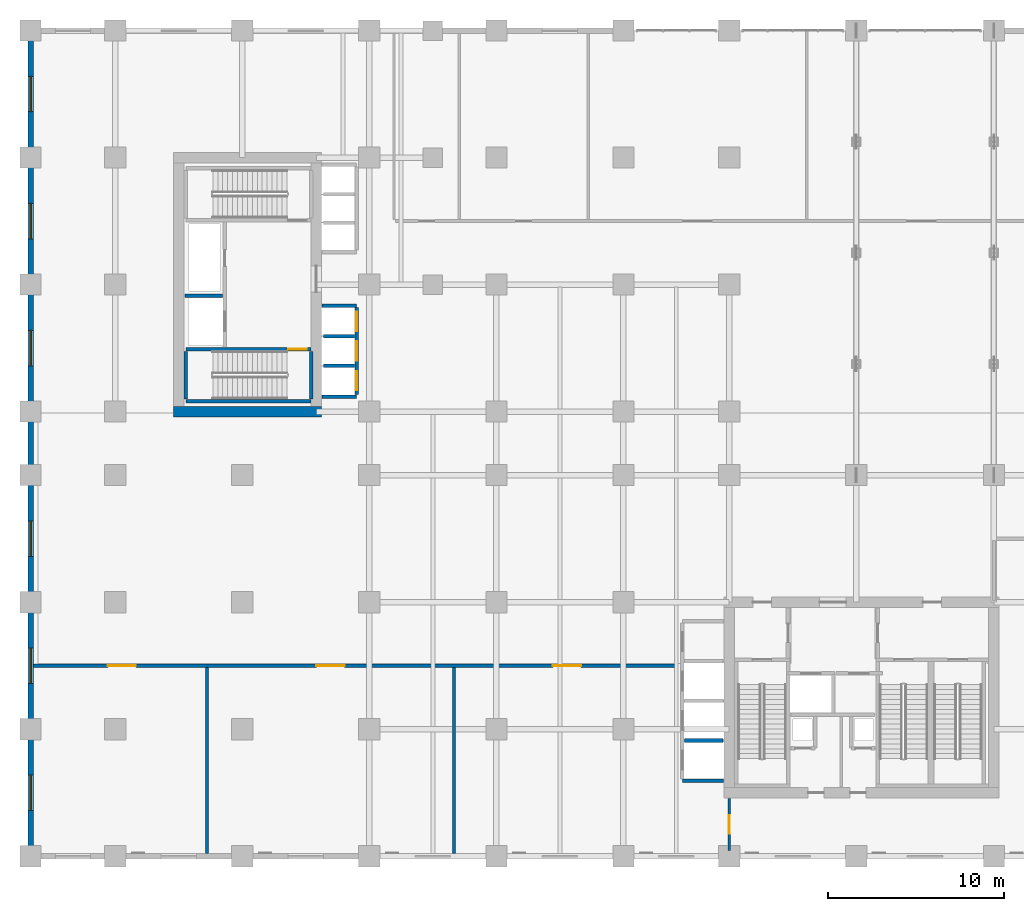
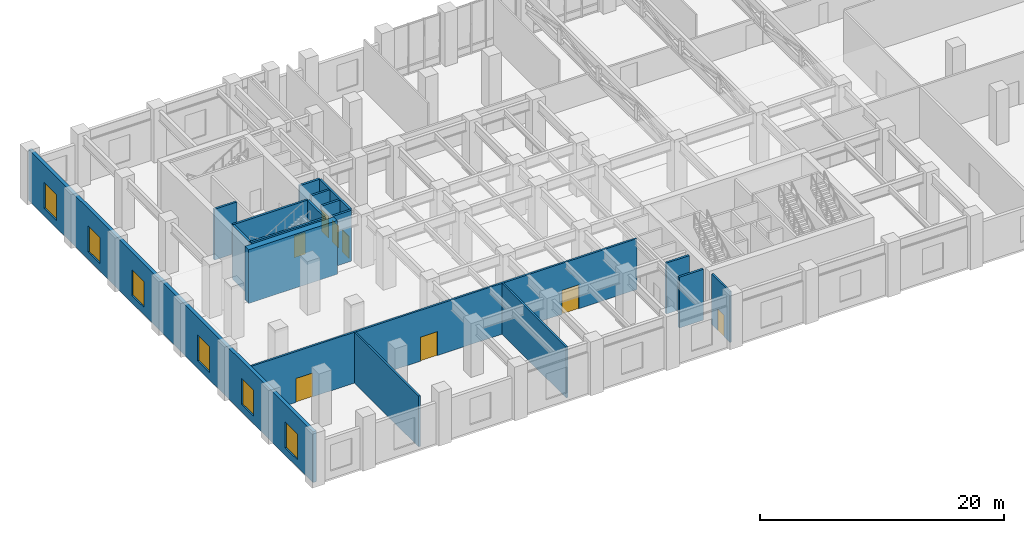
# One storey, part 9 of 19: 18 walls, 8 doors, 6 windows, 14 openings.
"""IFC4 building model written with IfcOpenShell, lengths in metres."""

from ifc_helpers import new_model, si_unit, derived_unit, direction, frame, frame_2d, origin, place, context, subcontext, project, spatial, rectangle, extrude, source, transform, mapped, material, layer, layer_set, type_object, type_shapes, element, fill, save


model = new_model("IFC4")

# Units and contexts
model_context = context("Model", 3, precision=1e-05, world=origin(), true_north=direction((0.0, 1.0)))
body_context = subcontext(model_context, "Body", "Model", "MODEL_VIEW")
ifc_project = project(units=[si_unit("LENGTHUNIT", "METRE"), si_unit("AREAUNIT", "SQUARE_METRE"), si_unit("VOLUMEUNIT", "CUBIC_METRE"), si_unit("PLANEANGLEUNIT", "RADIAN"), si_unit("MASSUNIT", "GRAM", prefix="KILO"), si_unit("THERMODYNAMICTEMPERATUREUNIT", "KELVIN"), si_unit("POWERUNIT", "WATT"), derived_unit("THERMALTRANSMITTANCEUNIT", [(si_unit("POWERUNIT", "WATT"), 1), (si_unit("AREAUNIT", "SQUARE_METRE"), -1), (si_unit("THERMODYNAMICTEMPERATUREUNIT", "KELVIN"), -1)])], contexts=[model_context])

# Site, building, storey
site_placement = place(None, origin())
site = spatial("IfcSite", under=ifc_project, at=site_placement, CompositionType="ELEMENT")
building_placement = place(site_placement, origin())
building = spatial("IfcBuilding", under=site, at=building_placement, Name="Zahravan Archway Hotel and Residences", CompositionType="ELEMENT")
storey_placement = place(building_placement, frame((0.0, 0.0, 21.60009765625)))
storey = spatial("IfcBuildingStorey", under=building, at=storey_placement, Name="L04", CompositionType="ELEMENT", Elevation=21.60009765625)

# Wall
ifc_material_1 = material(Name="Concrete C70/85", Category="concrete")
ifc_layer_1 = layer(ifc_material_1, 0.60009765625, Name="Concrete C70/85", Category="concrete")
ifc_layer_set_1 = layer_set([ifc_layer_1], Name="Concrete C70/85")
wall_type_1 = type_object("IfcWallType", Name="CW-CORE-600", PredefinedType="SHEAR", material=ifc_layer_set_1)
wall_1_placement = place(storey_placement, frame((3.300048828125, 25.199951171875, 0.0), z_axis=(0.0, 0.0, 1.0), x_axis=(1.0, 0.0, 0.0)))
element("IfcWall", 1, at=wall_1_placement, inside=storey, type_object=wall_type_1, Name="L04 Core B Shear S Wall 600 mm", PredefinedType="SHEAR", context=body_context, shape_type="SweptSolid", body=[
    extrude(rectangle(XDim=8.39990234375, YDim=0.60009765625, at=frame_2d((4.199951171875, 0.0))), origin(), (0.0, 0.0, 1.0), 5.39990234375),
])

# Wall, openings, windows
ifc_material_2 = material(Name="Agra Buff Sandstone & Insulated Backup", Category="masonry")
ifc_layer_2 = layer(ifc_material_2, 0.320068359375, Name="Agra Buff Sandstone & Insulated Backup", Category="masonry")
ifc_layer_set_2 = layer_set([ifc_layer_2], Name="Agra Buff Sandstone & Insulated Backup")
wall_type_2 = type_object("IfcWallType", Name="EW-SAND-320", PredefinedType="SOLIDWALL", material=ifc_layer_set_2)
wall_2_placement = place(storey_placement, frame((-4.800048828125, 0.050048828125, 0.0), z_axis=(0.0, 0.0, 1.0), x_axis=(0.0, 1.0, 0.0)))
wall_2 = element("IfcWall", 2, at=wall_2_placement, inside=storey, type_object=wall_type_2, Name="L04 Podium Sandstone W Wall", PredefinedType="SOLIDWALL", context=body_context, shape_type="SweptSolid", body=[
    extrude(rectangle(XDim=46.699951171875, YDim=0.320068359375, at=frame_2d((23.35009765625, 0.0))), origin(), (0.0, 0.0, 1.0), 5.099853515625),
])
opening_1_placement = place(wall_2_placement, frame((2.550048828125, 0.0, 0.75)))
opening_1 = element("IfcOpeningElement", 3, at=opening_1_placement, cuts=wall_2, Name="Opening W-01", PredefinedType="OPENING", context=body_context, shape_type="SweptSolid", body=[
    extrude(rectangle(XDim=2.0, YDim=2.60009765625, at=frame_2d((1.0, 1.300048828125))), frame((0.0, 0.169921875, 0.0), z_axis=(0.0, -1.0, 0.0), x_axis=(1.0, 0.0, 0.0)), (0.0, 0.0, 1.0), 0.340087890625),
])
opening_2_placement = place(wall_2_placement, frame((9.75, 0.0, 0.75)))
opening_2 = element("IfcOpeningElement", 4, at=opening_2_placement, cuts=wall_2, Name="Opening W-01", PredefinedType="OPENING", context=body_context, shape_type="SweptSolid", body=[
    extrude(rectangle(XDim=2.0, YDim=2.60009765625, at=frame_2d((1.0, 1.300048828125))), frame((0.0, 0.169921875, 0.0), z_axis=(0.0, -1.0, 0.0), x_axis=(1.0, 0.0, 0.0)), (0.0, 0.0, 1.0), 0.340087890625),
])
opening_3_placement = place(wall_2_placement, frame((16.949951171875, 0.0, 0.75)))
opening_3 = element("IfcOpeningElement", 5, at=opening_3_placement, cuts=wall_2, Name="Opening W-01", PredefinedType="OPENING", context=body_context, shape_type="SweptSolid", body=[
    extrude(rectangle(XDim=2.0, YDim=2.60009765625, at=frame_2d((1.0, 1.300048828125))), frame((0.0, 0.169921875, 0.0), z_axis=(0.0, -1.0, 0.0), x_axis=(1.0, 0.0, 0.0)), (0.0, 0.0, 1.0), 0.340087890625),
])
opening_4_placement = place(wall_2_placement, frame((27.75, 0.0, 0.75)))
opening_4 = element("IfcOpeningElement", 6, at=opening_4_placement, cuts=wall_2, Name="Opening W-01", PredefinedType="OPENING", context=body_context, shape_type="SweptSolid", body=[
    extrude(rectangle(XDim=2.0, YDim=2.60009765625, at=frame_2d((1.0, 1.300048828125))), frame((0.0, 0.169921875, 0.0), z_axis=(0.0, -1.0, 0.0), x_axis=(1.0, 0.0, 0.0)), (0.0, 0.0, 1.0), 0.340087890625),
])
opening_5_placement = place(wall_2_placement, frame((34.949951171875, 0.0, 0.75)))
opening_5 = element("IfcOpeningElement", 7, at=opening_5_placement, cuts=wall_2, Name="Opening W-01", PredefinedType="OPENING", context=body_context, shape_type="SweptSolid", body=[
    extrude(rectangle(XDim=2.0, YDim=2.60009765625, at=frame_2d((1.0, 1.300048828125))), frame((0.0, 0.169921875, 0.0), z_axis=(0.0, -1.0, 0.0), x_axis=(1.0, 0.0, 0.0)), (0.0, 0.0, 1.0), 0.340087890625),
])
opening_6_placement = place(wall_2_placement, frame((42.14990234375, 0.0, 0.75)))
opening_6 = element("IfcOpeningElement", 8, at=opening_6_placement, cuts=wall_2, Name="Opening W-01", PredefinedType="OPENING", context=body_context, shape_type="SweptSolid", body=[
    extrude(rectangle(XDim=2.0, YDim=2.60009765625, at=frame_2d((1.0, 1.300048828125))), frame((0.0, 0.169921875, 0.0), z_axis=(0.0, -1.0, 0.0), x_axis=(1.0, 0.0, 0.0)), (0.0, 0.0, 1.0), 0.340087890625),
])
ifc_material_3 = material(Name="Bronze-Anodized Thermal-Break Aluminium & Low-E Glass", Category="aluminium")
window_type = type_object("IfcWindowType", Name="WIN-ARC-2000", PartitioningType="DOUBLE_PANEL_VERTICAL", PredefinedType="WINDOW", material=ifc_material_3)
shared_shape_1 = source(origin(), body_context, "Body", "SweptSolid", [
    extrude(rectangle(XDim=2.0, YDim=2.60009765625, at=frame_2d((1.0, 1.300048828125))), frame((0.0, 0.030029296875, 0.0), z_axis=(0.0, -1.0, 0.0), x_axis=(1.0, 0.0, 0.0)), (0.0, 0.0, 1.0), 0.06005859375),
])
type_shapes(window_type, [shared_shape_1])
window_1_placement = place(opening_1_placement, origin())
window_1 = element("IfcWindow", 9, at=window_1_placement, inside=storey, type_object=window_type, Name="L04 Podium Mughal Arch Window 21", OverallHeight=2.60009765625, OverallWidth=2.0, PartitioningType="DOUBLE_PANEL_VERTICAL", PredefinedType="WINDOW", context=body_context, shape_type="MappedRepresentation", body=[
    mapped(shared_shape_1, transform((0.0, 0.0, 0.0), scale=1.0)),
])
fill(opening_1, window_1)
window_2_placement = place(opening_2_placement, origin())
window_2 = element("IfcWindow", 10, at=window_2_placement, inside=storey, type_object=window_type, Name="L04 Podium Mughal Arch Window 22", OverallHeight=2.60009765625, OverallWidth=2.0, PartitioningType="DOUBLE_PANEL_VERTICAL", PredefinedType="WINDOW", context=body_context, shape_type="MappedRepresentation", body=[
    mapped(shared_shape_1, transform((0.0, 0.0, 0.0), scale=1.0)),
])
fill(opening_2, window_2)
window_3_placement = place(opening_3_placement, origin())
window_3 = element("IfcWindow", 11, at=window_3_placement, inside=storey, type_object=window_type, Name="L04 Podium Mughal Arch Window 23", OverallHeight=2.60009765625, OverallWidth=2.0, PartitioningType="DOUBLE_PANEL_VERTICAL", PredefinedType="WINDOW", context=body_context, shape_type="MappedRepresentation", body=[
    mapped(shared_shape_1, transform((0.0, 0.0, 0.0), scale=1.0)),
])
fill(opening_3, window_3)
window_4_placement = place(opening_4_placement, origin())
window_4 = element("IfcWindow", 12, at=window_4_placement, inside=storey, type_object=window_type, Name="L04 Podium Mughal Arch Window 24", OverallHeight=2.60009765625, OverallWidth=2.0, PartitioningType="DOUBLE_PANEL_VERTICAL", PredefinedType="WINDOW", context=body_context, shape_type="MappedRepresentation", body=[
    mapped(shared_shape_1, transform((0.0, 0.0, 0.0), scale=1.0)),
])
fill(opening_4, window_4)
window_5_placement = place(opening_5_placement, origin())
window_5 = element("IfcWindow", 13, at=window_5_placement, inside=storey, type_object=window_type, Name="L04 Podium Mughal Arch Window 25", OverallHeight=2.60009765625, OverallWidth=2.0, PartitioningType="DOUBLE_PANEL_VERTICAL", PredefinedType="WINDOW", context=body_context, shape_type="MappedRepresentation", body=[
    mapped(shared_shape_1, transform((0.0, 0.0, 0.0), scale=1.0)),
])
fill(opening_5, window_5)
window_6_placement = place(opening_6_placement, origin())
window_6 = element("IfcWindow", 14, at=window_6_placement, inside=storey, type_object=window_type, Name="L04 Podium Mughal Arch Window 26", OverallHeight=2.60009765625, OverallWidth=2.0, PartitioningType="DOUBLE_PANEL_VERTICAL", PredefinedType="WINDOW", context=body_context, shape_type="MappedRepresentation", body=[
    mapped(shared_shape_1, transform((0.0, 0.0, 0.0), scale=1.0)),
])
fill(opening_6, window_6)

# Wall, opening, door
ifc_material_4 = material(Name="Fire-Rated Gypsum & Concrete Block", Category="concrete")
ifc_layer_3 = layer(ifc_material_4, 0.159912109375, Name="Fire-Rated Gypsum & Concrete Block", Category="concrete")
ifc_layer_set_3 = layer_set([ifc_layer_3], Name="Fire-Rated Gypsum & Concrete Block")
wall_type_3 = type_object("IfcWallType", Name="PW-CORR-160", PredefinedType="PARTITIONING", material=ifc_layer_set_3)
wall_3_placement = place(storey_placement, frame((34.800048828125, 0.320068359375, 0.0), z_axis=(0.0, 0.0, 1.0), x_axis=(0.0, 1.0, 0.0)))
wall_3 = element("IfcWall", 15, at=wall_3_placement, inside=storey, type_object=wall_type_3, Name="L04 Partition L04-CAS", PredefinedType="PARTITIONING", context=body_context, shape_type="SweptSolid", body=[
    extrude(rectangle(XDim=2.9599609375, YDim=0.159912109375, at=frame_2d((1.47998046875, 0.0))), origin(), (0.0, 0.0, 1.0), 5.099853515625),
])
opening_7_placement = place(wall_3_placement, frame((0.955078125, 0.0, 0.0)))
opening_7 = element("IfcOpeningElement", 16, at=opening_7_placement, cuts=wall_3, Name="Opening FD-L2", PredefinedType="OPENING", context=body_context, shape_type="SweptSolid", body=[
    extrude(rectangle(XDim=1.050048828125, YDim=2.14990234375, at=frame_2d((0.52490234375, 1.074951171875))), frame((0.0, 0.08984375, 0.0), z_axis=(0.0, -1.0, 0.0), x_axis=(1.0, 0.0, 0.0)), (0.0, 0.0, 1.0), 0.179931640625),
])
ifc_material_5 = material(Name="Fire-Rated Painted Steel", Category="steel")
door_type_1 = type_object("IfcDoorType", Name="FD-LOBBY-1100", OperationType="NOTDEFINED", PredefinedType="DOOR", material=ifc_material_5)
shared_shape_2 = source(origin(), body_context, "Body", "SweptSolid", [
    extrude(rectangle(XDim=1.050048828125, YDim=2.14990234375, at=frame_2d((0.52490234375, 1.074951171875))), frame((0.0, 0.02490234375, 0.0), z_axis=(0.0, -1.0, 0.0), x_axis=(1.0, 0.0, 0.0)), (0.0, 0.0, 1.0), 0.050048828125),
])
type_shapes(door_type_1, [shared_shape_2])
door_1_placement = place(opening_7_placement, origin())
door_1 = element("IfcDoor", 17, at=door_1_placement, inside=storey, type_object=door_type_1, Name="L04 South Riser Access Door", OperationType="SINGLE_SWING_RIGHT", OverallHeight=2.14990234375, OverallWidth=1.050048828125, PredefinedType="DOOR", context=body_context, shape_type="MappedRepresentation", body=[
    mapped(shared_shape_2, transform((0.0, 0.0, 0.0), scale=1.0)),
])
fill(opening_7, door_1)

# Wall, openings, doors
ifc_layer_4 = layer(ifc_material_4, 0.179931640625, Name="Fire-Rated Gypsum & Concrete Block", Category="concrete")
ifc_layer_set_4 = layer_set([ifc_layer_4], Name="Fire-Rated Gypsum & Concrete Block")
wall_type_4 = type_object("IfcWallType", Name="PW-CORR-180", PredefinedType="PARTITIONING", material=ifc_layer_set_4)
wall_4_placement = place(storey_placement, frame((-4.632080078125, 10.800048828125, 0.0), z_axis=(0.0, 0.0, 1.0), x_axis=(1.0, 0.0, 0.0)))
wall_4 = element("IfcWall", 18, at=wall_4_placement, inside=storey, type_object=wall_type_4, Name="L04 Partition L04-GS", PredefinedType="PARTITIONING", context=body_context, shape_type="SweptSolid", body=[
    extrude(rectangle(XDim=36.5419921875, YDim=0.179931640625, at=frame_2d((18.27099609375, 0.0))), origin(), (0.0, 0.0, 1.0), 5.099853515625),
])
opening_8_placement = place(wall_4_placement, frame((4.20703125, 0.0, 0.0)))
opening_8 = element("IfcOpeningElement", 19, at=opening_8_placement, cuts=wall_4, Name="Opening D-P2", PredefinedType="OPENING", context=body_context, shape_type="SweptSolid", body=[
    extrude(rectangle(XDim=1.60009765625, YDim=2.39990234375, at=frame_2d((0.800048828125, 1.199951171875))), frame((0.0, 0.10009765625, 0.0), z_axis=(0.0, -1.0, 0.0), x_axis=(1.0, 0.0, 0.0)), (0.0, 0.0, 1.0), 0.199951171875),
])
opening_9_placement = place(wall_4_placement, frame((16.031982421875, 0.0, 0.0)))
opening_9 = element("IfcOpeningElement", 20, at=opening_9_placement, cuts=wall_4, Name="Opening D-P2", PredefinedType="OPENING", context=body_context, shape_type="SweptSolid", body=[
    extrude(rectangle(XDim=1.60009765625, YDim=2.39990234375, at=frame_2d((0.800048828125, 1.199951171875))), frame((0.0, 0.10009765625, 0.0), z_axis=(0.0, -1.0, 0.0), x_axis=(1.0, 0.0, 0.0)), (0.0, 0.0, 1.0), 0.199951171875),
])
opening_10_placement = place(wall_4_placement, frame((29.431884765625, 0.0, 0.0)))
opening_10 = element("IfcOpeningElement", 21, at=opening_10_placement, cuts=wall_4, Name="Opening D-P2", PredefinedType="OPENING", context=body_context, shape_type="SweptSolid", body=[
    extrude(rectangle(XDim=1.60009765625, YDim=2.39990234375, at=frame_2d((0.800048828125, 1.199951171875))), frame((0.0, 0.10009765625, 0.0), z_axis=(0.0, -1.0, 0.0), x_axis=(1.0, 0.0, 0.0)), (0.0, 0.0, 1.0), 0.199951171875),
])
ifc_material_6 = material(Name="Bronze-Anodized Glazed Aluminium", Category="aluminium")
door_type_2 = type_object("IfcDoorType", Name="ID-PUBLIC-1600", OperationType="DOUBLE_DOOR_SINGLE_SWING", PredefinedType="DOOR", material=ifc_material_6)
shared_shape_3 = source(origin(), body_context, "Body", "SweptSolid", [
    extrude(rectangle(XDim=1.60009765625, YDim=2.39990234375, at=frame_2d((0.800048828125, 1.199951171875))), frame((0.0, 0.02490234375, 0.0), z_axis=(0.0, -1.0, 0.0), x_axis=(1.0, 0.0, 0.0)), (0.0, 0.0, 1.0), 0.050048828125),
])
type_shapes(door_type_2, [shared_shape_3])
door_2_placement = place(opening_8_placement, origin())
door_2 = element("IfcDoor", 22, at=door_2_placement, inside=storey, type_object=door_type_2, Name="L04 Sanctuary Qibla Vestibule & Shoe Cloister Door", OperationType="DOUBLE_DOOR_SINGLE_SWING", OverallHeight=2.39990234375, OverallWidth=1.60009765625, PredefinedType="DOOR", context=body_context, shape_type="MappedRepresentation", body=[
    mapped(shared_shape_3, transform((0.0, 0.0, 0.0), scale=1.0)),
])
fill(opening_8, door_2)
door_3_placement = place(opening_9_placement, origin())
door_3 = element("IfcDoor", 23, at=door_3_placement, inside=storey, type_object=door_type_2, Name="L04 Men's Congregational Musalla Prayer Hall Door", OperationType="DOUBLE_DOOR_SINGLE_SWING", OverallHeight=2.39990234375, OverallWidth=1.60009765625, PredefinedType="DOOR", context=body_context, shape_type="MappedRepresentation", body=[
    mapped(shared_shape_3, transform((0.0, 0.0, 0.0), scale=1.0)),
])
fill(opening_9, door_3)
door_4_placement = place(opening_10_placement, origin())
door_4 = element("IfcDoor", 24, at=door_4_placement, inside=storey, type_object=door_type_2, Name="L04 Women's Congregational Musalla Prayer Hall Door", OperationType="DOUBLE_DOOR_SINGLE_SWING", OverallHeight=2.39990234375, OverallWidth=1.60009765625, PredefinedType="DOOR", context=body_context, shape_type="MappedRepresentation", body=[
    mapped(shared_shape_3, transform((0.0, 0.0, 0.0), scale=1.0)),
])
fill(opening_10, door_4)

# Walls
ifc_layer_5 = layer(ifc_material_4, 0.199951171875, Name="Fire-Rated Gypsum & Concrete Block", Category="concrete")
ifc_layer_set_5 = layer_set([ifc_layer_5], Name="Fire-Rated Gypsum & Concrete Block")
wall_type_5 = type_object("IfcWallType", Name="PW-SHAFT-200", PredefinedType="PARTITIONING", material=ifc_layer_set_5)
wall_5_placement = place(storey_placement, frame((32.159912109375, 4.280029296875, 0.0), z_axis=(0.0, 0.0, 1.0), x_axis=(1.0, 0.0, 0.0)))
element("IfcWall", 25, at=wall_5_placement, inside=storey, type_object=wall_type_5, Name="L04 Partition B3-S", PredefinedType="PARTITIONING", context=body_context, shape_type="SweptSolid", body=[
    extrude(rectangle(XDim=2.31005859375, YDim=0.199951171875, at=frame_2d((1.155029296875, 0.0))), origin(), (0.0, 0.0, 1.0), 5.099853515625),
])
wall_6_placement = place(storey_placement, frame((32.260009765625, 6.56005859375, 0.0), z_axis=(0.0, 0.0, 1.0), x_axis=(1.0, 0.0, 0.0)))
element("IfcWall", 26, at=wall_6_placement, inside=storey, type_object=wall_type_5, Name="L04 Partition B3-D", PredefinedType="PARTITIONING", context=body_context, shape_type="SweptSolid", body=[
    extrude(rectangle(XDim=2.179931640625, YDim=0.199951171875, at=frame_2d((1.08984375, 0.0))), origin(), (0.0, 0.0, 1.0), 5.099853515625),
])
wall_7_placement = place(storey_placement, frame((3.9599609375, 31.780029296875, 0.0), z_axis=(0.0, 0.0, 1.0), x_axis=(1.0, 0.0, 0.0)))
element("IfcWall", 27, at=wall_7_placement, inside=storey, type_object=wall_type_5, Name="L04 Partition CB-FL3N", PredefinedType="PARTITIONING", context=body_context, shape_type="SweptSolid", body=[
    extrude(rectangle(XDim=2.130126953125, YDim=0.199951171875, at=frame_2d((1.06494140625, 0.0))), origin(), (0.0, 0.0, 1.0), 5.099853515625),
])
for number, where, z_axis, x_axis, name in (
    (28, (11.7099609375, 26.050048828125, 0.0), (0.0, 0.0, 1.0), (1.0, 0.0, 0.0), "L04 Partition B1-S"),
    (29, (11.7099609375, 31.2099609375, 0.0), (0.0, 0.0, 1.0), (1.0, 0.0, 0.0), "L04 Partition B1-N"),
):
    element("IfcWall", number, at=place(storey_placement, frame(where, z_axis=z_axis, x_axis=x_axis)), inside=storey, type_object=wall_type_5, Name=name, PredefinedType="PARTITIONING", context=body_context, shape_type="SweptSolid", body=[
        extrude(rectangle(XDim=1.9599609375, YDim=0.199951171875, at=frame_2d((0.97998046875, 0.0))), origin(), (0.0, 0.0, 1.0), 5.099853515625),
    ])

# Wall, openings, doors
wall_8_placement = place(storey_placement, frame((13.679931640625, 26.159912109375, 0.0), z_axis=(0.0, 0.0, 1.0), x_axis=(0.0, 1.0, 0.0)))
wall_8 = element("IfcWall", 30, at=wall_8_placement, inside=storey, type_object=wall_type_5, Name="L04 Partition B1-E", PredefinedType="PARTITIONING", context=body_context, shape_type="SweptSolid", body=[
    extrude(rectangle(XDim=4.940185546875, YDim=0.199951171875, at=frame_2d((2.47021484375, 0.0))), origin(), (0.0, 0.0, 1.0), 5.099853515625),
])
opening_11_placement = place(wall_8_placement, frame((0.239990234375, 0.0, 0.0)))
opening_11 = element("IfcOpeningElement", 31, at=opening_11_placement, cuts=wall_8, Name="Opening LD", PredefinedType="OPENING", context=body_context, shape_type="SweptSolid", body=[
    extrude(rectangle(XDim=1.10009765625, YDim=2.199951171875, at=frame_2d((0.550048828125, 1.10009765625))), frame((0.0, 0.10986328125, 0.0), z_axis=(0.0, -1.0, 0.0), x_axis=(1.0, 0.0, 0.0)), (0.0, 0.0, 1.0), 0.219970703125),
])
opening_12_placement = place(wall_8_placement, frame((1.919921875, 0.0, 0.0)))
opening_12 = element("IfcOpeningElement", 32, at=opening_12_placement, cuts=wall_8, Name="Opening LD", PredefinedType="OPENING", context=body_context, shape_type="SweptSolid", body=[
    extrude(rectangle(XDim=1.10009765625, YDim=2.199951171875, at=frame_2d((0.550048828125, 1.10009765625))), frame((0.0, 0.10986328125, 0.0), z_axis=(0.0, -1.0, 0.0), x_axis=(1.0, 0.0, 0.0)), (0.0, 0.0, 1.0), 0.219970703125),
])
opening_13_placement = place(wall_8_placement, frame((3.60009765625, 0.0, 0.0)))
opening_13 = element("IfcOpeningElement", 33, at=opening_13_placement, cuts=wall_8, Name="Opening LD", PredefinedType="OPENING", context=body_context, shape_type="SweptSolid", body=[
    extrude(rectangle(XDim=1.10009765625, YDim=2.199951171875, at=frame_2d((0.550048828125, 1.10009765625))), frame((0.0, 0.10986328125, 0.0), z_axis=(0.0, -1.0, 0.0), x_axis=(1.0, 0.0, 0.0)), (0.0, 0.0, 1.0), 0.219970703125),
])
ifc_material_7 = material(Name="Brushed Stainless Steel", Category="steel")
door_type_3 = type_object("IfcDoorType", Name="DR-LIFT-LD", OperationType="SLIDING_TO_LEFT", PredefinedType="DOOR", material=ifc_material_7)
shared_shape_4 = source(origin(), body_context, "Body", "SweptSolid", [
    extrude(rectangle(XDim=1.10009765625, YDim=2.199951171875, at=frame_2d((0.550048828125, 1.10009765625))), frame((0.0, 0.02490234375, 0.0), z_axis=(0.0, -1.0, 0.0), x_axis=(1.0, 0.0, 0.0)), (0.0, 0.0, 1.0), 0.050048828125),
])
type_shapes(door_type_3, [shared_shape_4])
door_5_placement = place(opening_11_placement, origin())
door_5 = element("IfcDoor", 34, at=door_5_placement, inside=storey, type_object=door_type_3, Name="L04 Lift LP-1 Sliding Landing Door", OperationType="SLIDING_TO_LEFT", OverallHeight=2.199951171875, OverallWidth=1.10009765625, PredefinedType="DOOR", context=body_context, shape_type="MappedRepresentation", body=[
    mapped(shared_shape_4, transform((0.0, 0.0, 0.0), scale=1.0)),
])
fill(opening_11, door_5)
door_6_placement = place(opening_12_placement, origin())
door_6 = element("IfcDoor", 35, at=door_6_placement, inside=storey, type_object=door_type_3, Name="L04 Lift LP-2 Sliding Landing Door", OperationType="SLIDING_TO_LEFT", OverallHeight=2.199951171875, OverallWidth=1.10009765625, PredefinedType="DOOR", context=body_context, shape_type="MappedRepresentation", body=[
    mapped(shared_shape_4, transform((0.0, 0.0, 0.0), scale=1.0)),
])
fill(opening_12, door_6)
door_7_placement = place(opening_13_placement, origin())
door_7 = element("IfcDoor", 36, at=door_7_placement, inside=storey, type_object=door_type_3, Name="L04 Lift LP-3 Sliding Landing Door", OperationType="SLIDING_TO_LEFT", OverallHeight=2.199951171875, OverallWidth=1.10009765625, PredefinedType="DOOR", context=body_context, shape_type="MappedRepresentation", body=[
    mapped(shared_shape_4, transform((0.0, 0.0, 0.0), scale=1.0)),
])
fill(opening_13, door_7)

# Walls
for number, where, z_axis, x_axis, name in (
    (37, (11.81005859375, 27.7900390625, 0.0), (0.0, 0.0, 1.0), (1.0, 0.0, 0.0), "L04 Partition B1-D"),
    (38, (11.81005859375, 29.469970703125, 0.0), (0.0, 0.0, 1.0), (1.0, 0.0, 0.0), "L04 Partition B1-D"),
):
    element("IfcWall", number, at=place(storey_placement, frame(where, z_axis=z_axis, x_axis=x_axis)), inside=storey, type_object=wall_type_5, Name=name, PredefinedType="PARTITIONING", context=body_context, shape_type="SweptSolid", body=[
        extrude(rectangle(XDim=1.760009765625, YDim=0.199951171875, at=frame_2d((0.8798828125, 0.0))), origin(), (0.0, 0.0, 1.0), 5.099853515625),
    ])
ifc_material_8 = material(Name="Acoustic Stud Partition")
ifc_layer_6 = layer(ifc_material_8, 0.169921875, Name="Acoustic Stud Partition")
ifc_layer_set_6 = layer_set([ifc_layer_6], Name="Acoustic Stud Partition")
wall_type_6 = type_object("IfcWallType", Name="PW-UNIT-170", PredefinedType="PARTITIONING", material=ifc_layer_set_6)
for number, where, z_axis, x_axis, name in (
    (39, (5.199951171875, 0.16796875, 0.0), (0.0, 0.0, 1.0), (0.0, 1.0, 0.0), "L04 Partition L04-SV1"),
    (40, (19.199951171875, 0.16796875, 0.0), (0.0, 0.0, 1.0), (0.0, 1.0, 0.0), "L04 Partition L04-SV2"),
):
    element("IfcWall", number, at=place(storey_placement, frame(where, z_axis=z_axis, x_axis=x_axis)), inside=storey, type_object=wall_type_6, Name=name, PredefinedType="PARTITIONING", context=body_context, shape_type="SweptSolid", body=[
        extrude(rectangle(XDim=10.5419921875, YDim=0.169921875, at=frame_2d((5.27099609375, 0.0))), origin(), (0.0, 0.0, 1.0), 5.099853515625),
    ])
ifc_material_9 = material(Name="Concrete C50/60", Category="concrete")
ifc_layer_7 = layer(ifc_material_9, 0.199951171875, Name="Concrete C50/60", Category="concrete")
ifc_layer_set_7 = layer_set([ifc_layer_7], Name="Concrete C50/60")
wall_type_7 = type_object("IfcWallType", Name="SW-STAIR-200", PredefinedType="SHEAR", material=ifc_layer_set_7)
wall_9_placement = place(storey_placement, frame((4.0, 25.800048828125, 0.0), z_axis=(0.0, 0.0, 1.0), x_axis=(1.0, 0.0, 0.0)))
element("IfcWall", 41, at=wall_9_placement, inside=storey, type_object=wall_type_7, Name="L04 Stairwell RC Wall CB-SB1S", PredefinedType="SHEAR", context=body_context, shape_type="SweptSolid", body=[
    extrude(rectangle(XDim=7.10009765625, YDim=0.199951171875, at=frame_2d((3.550048828125, 0.0))), origin(), (0.0, 0.0, 1.0), 5.39990234375),
])
for number, where, z_axis, x_axis, name in (
    (42, (4.0, 25.919921875, 0.0), (0.0, 0.0, 1.0), (0.0, 1.0, 0.0), "L04 Stairwell RC Wall CB-SB1W"),
    (43, (11.10009765625, 25.919921875, 0.0), (0.0, 0.0, 1.0), (0.0, 1.0, 0.0), "L04 Stairwell RC Wall CB-SB1E"),
):
    element("IfcWall", number, at=place(storey_placement, frame(where, z_axis=z_axis, x_axis=x_axis)), inside=storey, type_object=wall_type_7, Name=name, PredefinedType="SHEAR", context=body_context, shape_type="SweptSolid", body=[
        extrude(rectangle(XDim=2.7001953125, YDim=0.199951171875, at=frame_2d((1.35009765625, 0.0))), origin(), (0.0, 0.0, 1.0), 5.39990234375),
    ])

# Wall, opening, door
wall_10_placement = place(storey_placement, frame((4.0, 28.739990234375, 0.0), z_axis=(0.0, 0.0, 1.0), x_axis=(1.0, 0.0, 0.0)))
wall_10 = element("IfcWall", 44, at=wall_10_placement, inside=storey, type_object=wall_type_7, Name="L04 Stairwell RC Wall CB-SB1N", PredefinedType="SHEAR", context=body_context, shape_type="SweptSolid", body=[
    extrude(rectangle(XDim=7.10009765625, YDim=0.199951171875, at=frame_2d((3.550048828125, 0.0))), origin(), (0.0, 0.0, 1.0), 5.39990234375),
])
opening_14_placement = place(wall_10_placement, frame((5.81494140625, 0.0, 0.0)))
opening_14 = element("IfcOpeningElement", 45, at=opening_14_placement, cuts=wall_10, Name="Opening FD-S1", PredefinedType="OPENING", context=body_context, shape_type="SweptSolid", body=[
    extrude(rectangle(XDim=1.050048828125, YDim=2.199951171875, at=frame_2d((0.52490234375, 1.10009765625))), frame((0.0, 0.10986328125, 0.0), z_axis=(0.0, -1.0, 0.0), x_axis=(1.0, 0.0, 0.0)), (0.0, 0.0, 1.0), 0.219970703125),
])
door_type_4 = type_object("IfcDoorType", Name="FD-STAIR-1100", OperationType="NOTDEFINED", PredefinedType="DOOR", material=ifc_material_5)
shared_shape_5 = source(origin(), body_context, "Body", "SweptSolid", [
    extrude(rectangle(XDim=1.050048828125, YDim=2.199951171875, at=frame_2d((0.52490234375, 1.10009765625))), frame((0.0, 0.02490234375, 0.0), z_axis=(0.0, -1.0, 0.0), x_axis=(1.0, 0.0, 0.0)), (0.0, 0.0, 1.0), 0.050048828125),
])
type_shapes(door_type_4, [shared_shape_5])
door_8_placement = place(opening_14_placement, origin())
door_8 = element("IfcDoor", 46, at=door_8_placement, inside=storey, type_object=door_type_4, Name="L04 Stair ST-B1 Door", OperationType="SINGLE_SWING_RIGHT", OverallHeight=2.199951171875, OverallWidth=1.050048828125, PredefinedType="DOOR", context=body_context, shape_type="MappedRepresentation", body=[
    mapped(shared_shape_5, transform((0.0, 0.0, 0.0), scale=1.0)),
])
fill(opening_14, door_8)

save(model, "model.ifc")
